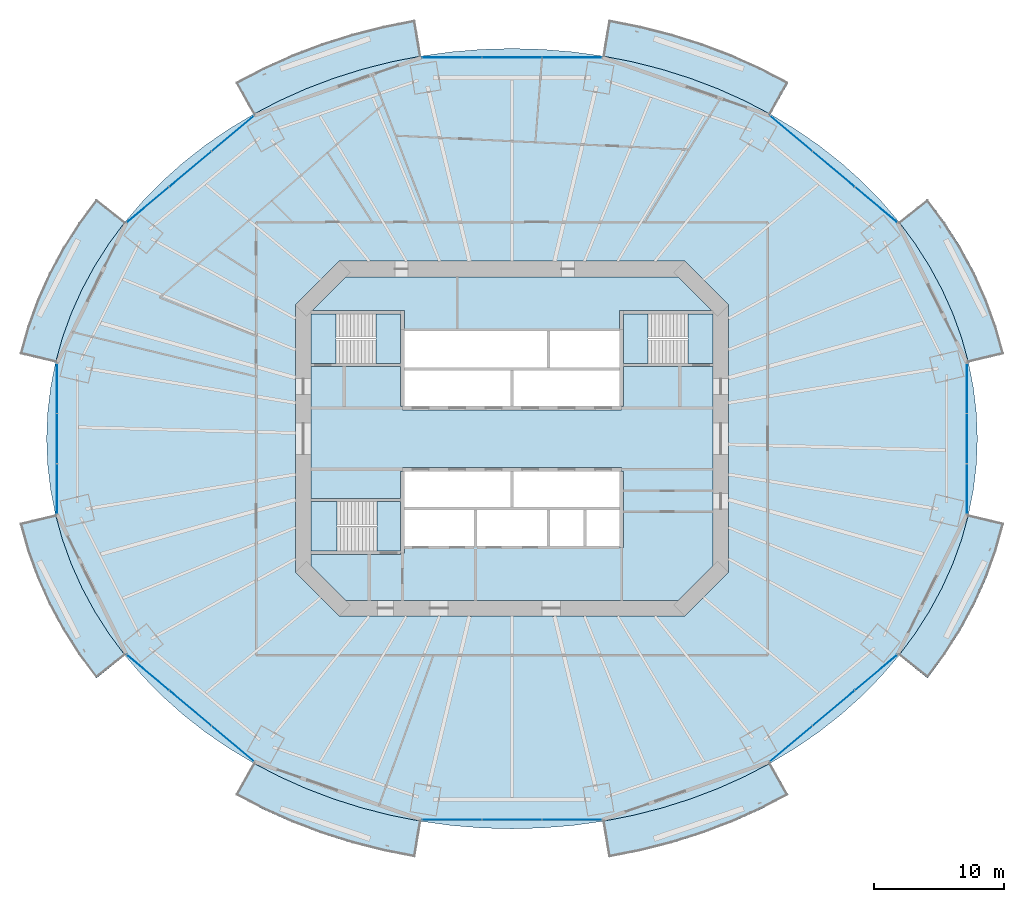
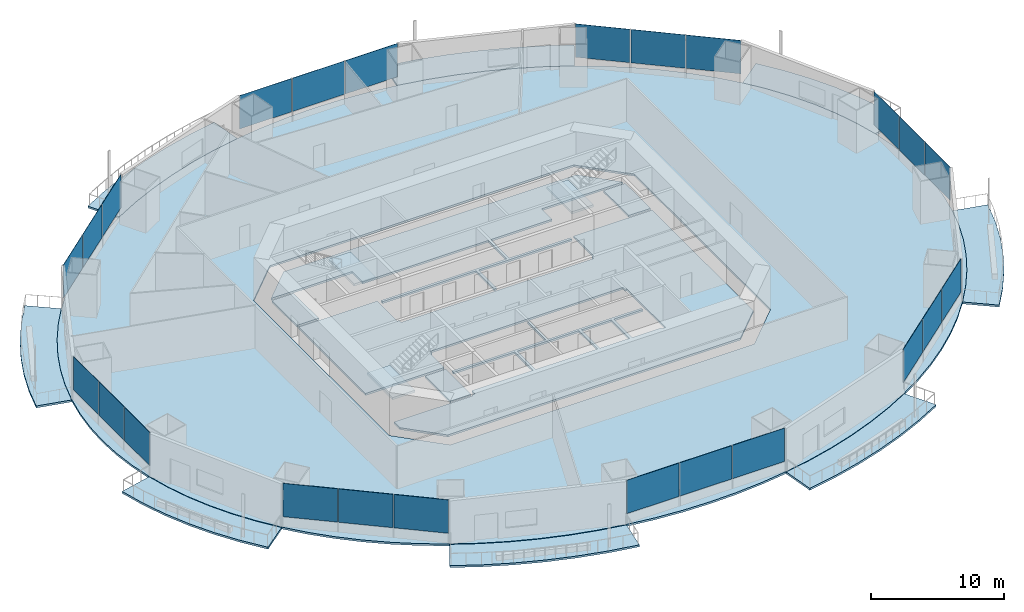
# One storey, part 12 of 22: 24 plates, 17 slabs, 11 elements without a shape of their own.
"""IFC4 building model written with IfcOpenShell, lengths in metres."""

from ifc_helpers import new_model, si_unit, direction, frame, origin, origin_2d, place, context, subcontext, project, spatial, polyline, rectangle, outline, extrude, material, layer, layer_set, type_object, element, aggregate, save


model = new_model("IFC4")

# Units and contexts
model_context = context("Model", 3, precision=1e-05, world=origin(), true_north=direction((0.0, 1.0)))
body_context = subcontext(model_context, "Body", "Model", "MODEL_VIEW")
ifc_project = project(units=[si_unit("LENGTHUNIT", "METRE"), si_unit("AREAUNIT", "SQUARE_METRE"), si_unit("VOLUMEUNIT", "CUBIC_METRE"), si_unit("PLANEANGLEUNIT", "RADIAN"), si_unit("MASSUNIT", "GRAM", prefix="KILO")], contexts=[model_context])

# Site, building, storey
site_placement = place(None, origin())
site = spatial("IfcSite", under=ifc_project, at=site_placement, CompositionType="ELEMENT")
building_placement = place(site_placement, origin())
building = spatial("IfcBuilding", under=site, at=building_placement, Name="Marenthal Gate Tower", CompositionType="ELEMENT")
storey_placement = place(building_placement, frame((0.0, 0.0, 70.35009765625)))
storey = spatial("IfcBuildingStorey", under=building, at=storey_placement, Name="L13", CompositionType="ELEMENT", Elevation=70.35009765625)

# Slabs
ifc_material_1 = material(Name="Concrete 40 MPa", Category="concrete")
ifc_layer_1 = layer(ifc_material_1, 0.179931640625)
ifc_layer_set_1 = layer_set([ifc_layer_1], Name="Balcony deck 180")
slab_type_1 = type_object("IfcSlabType", Name="Balcony deck 180", PredefinedType="USERDEFINED", material=ifc_layer_set_1)
slab_1_placement = place(storey_placement, frame((0.0, 0.0, -0.22021484375)))
element("IfcSlab", 1, at=slab_1_placement, inside=storey, type_object=slab_type_1, Name="Balcony deck L13 bay 1", ObjectType="BALCONY", PredefinedType="USERDEFINED", context=body_context, shape_type="SweptSolid", body=[
    extrude(outline(polyline([(34.987548828125, 5.833984375), (34.45751953125, 7.73974609375), (33.77978515625, 9.6123046875), (32.95751953125, 11.44384765625), (31.994140625, 13.226318359375), (30.893798828125, 14.951904296875), (29.660888671875, 16.61376953125), (31.8505859375, 18.359130859375), (33.19970703125, 16.540283203125), (34.407470703125, 14.64599609375), (35.4677734375, 12.68408203125), (36.375, 10.663330078125), (37.12451171875, 8.59228515625), (37.7119140625, 6.48046875), (34.987548828125, 5.833984375)])), origin(), (0.0, 0.0, 1.0), 0.18017578125),
])
slab_2_placement = place(storey_placement, frame((0.0, 0.0, -0.22021484375)))
element("IfcSlab", 2, at=slab_2_placement, inside=storey, type_object=slab_type_1, Name="Balcony deck L13 bay 3", ObjectType="BALCONY", PredefinedType="USERDEFINED", context=body_context, shape_type="SweptSolid", body=[
    extrude(outline(polyline([(19.81884765625, 24.8642578125), (17.83642578125, 25.897705078125), (15.77783203125, 26.820068359375), (13.651611328125, 27.627685546875), (11.466796875, 28.31689453125), (9.23291015625, 28.885009765625), (6.95947265625, 29.329345703125), (7.419921875, 32.09130859375), (9.846435546875, 31.616943359375), (12.233154296875, 31.010009765625), (14.570068359375, 30.272705078125), (16.847412109375, 29.40771484375), (19.056396484375, 28.41796875), (21.187255859375, 27.30712890625), (19.81884765625, 24.8642578125)])), origin(), (0.0, 0.0, 1.0), 0.18017578125),
])
slab_3_placement = place(storey_placement, frame((0.0, 0.0, -0.22021484375)))
element("IfcSlab", 3, at=slab_3_placement, inside=storey, type_object=slab_type_1, Name="Balcony deck L13 bay 5", ObjectType="BALCONY", PredefinedType="USERDEFINED", context=body_context, shape_type="SweptSolid", body=[
    extrude(outline(polyline([(-6.95947265625, 29.329345703125), (-9.23291015625, 28.885009765625), (-11.466796875, 28.31689453125), (-13.651611328125, 27.627685546875), (-15.77783203125, 26.820068359375), (-17.83642578125, 25.897705078125), (-19.81884765625, 24.8642578125), (-21.187255859375, 27.30712890625), (-19.056396484375, 28.41796875), (-16.847412109375, 29.40771484375), (-14.570068359375, 30.272705078125), (-12.233154296875, 31.010009765625), (-9.846435546875, 31.616943359375), (-7.419921875, 32.09130859375), (-6.95947265625, 29.329345703125)])), origin(), (0.0, 0.0, 1.0), 0.18017578125),
])
slab_4_placement = place(storey_placement, frame((0.0, 0.0, -0.22021484375)))
element("IfcSlab", 4, at=slab_4_placement, inside=storey, type_object=slab_type_1, Name="Balcony deck L13 bay 7", ObjectType="BALCONY", PredefinedType="USERDEFINED", context=body_context, shape_type="SweptSolid", body=[
    extrude(outline(polyline([(-29.660888671875, 16.61376953125), (-30.893798828125, 14.951904296875), (-31.994140625, 13.226318359375), (-32.95751953125, 11.44384765625), (-33.77978515625, 9.6123046875), (-34.45751953125, 7.73974609375), (-34.987548828125, 5.833984375), (-37.7119140625, 6.48046875), (-37.12451171875, 8.59228515625), (-36.375, 10.663330078125), (-35.4677734375, 12.68408203125), (-34.407470703125, 14.64599609375), (-33.19970703125, 16.540283203125), (-31.8505859375, 18.359130859375), (-29.660888671875, 16.61376953125)])), origin(), (0.0, 0.0, 1.0), 0.18017578125),
])
slab_5_placement = place(storey_placement, frame((0.0, 0.0, -0.22021484375)))
element("IfcSlab", 5, at=slab_5_placement, inside=storey, type_object=slab_type_1, Name="Balcony deck L13 bay 9", ObjectType="BALCONY", PredefinedType="USERDEFINED", context=body_context, shape_type="SweptSolid", body=[
    extrude(outline(polyline([(-34.987548828125, -5.833984375), (-34.45751953125, -7.73974609375), (-33.77978515625, -9.6123046875), (-32.95751953125, -11.44384765625), (-31.994140625, -13.226318359375), (-30.893798828125, -14.951904296875), (-29.660888671875, -16.61376953125), (-31.8505859375, -18.359130859375), (-33.19970703125, -16.540283203125), (-34.407470703125, -14.64599609375), (-35.4677734375, -12.68408203125), (-36.375, -10.663330078125), (-37.12451171875, -8.59228515625), (-37.7119140625, -6.48046875), (-34.987548828125, -5.833984375)])), origin(), (0.0, 0.0, 1.0), 0.18017578125),
])
slab_6_placement = place(storey_placement, frame((0.0, 0.0, -0.22021484375)))
element("IfcSlab", 6, at=slab_6_placement, inside=storey, type_object=slab_type_1, Name="Balcony deck L13 bay 11", ObjectType="BALCONY", PredefinedType="USERDEFINED", context=body_context, shape_type="SweptSolid", body=[
    extrude(outline(polyline([(-19.81884765625, -24.8642578125), (-17.83642578125, -25.897705078125), (-15.77783203125, -26.820068359375), (-13.651611328125, -27.627685546875), (-11.466796875, -28.31689453125), (-9.23291015625, -28.885009765625), (-6.95947265625, -29.329345703125), (-7.419921875, -32.09130859375), (-9.846435546875, -31.616943359375), (-12.233154296875, -31.010009765625), (-14.570068359375, -30.272705078125), (-16.847412109375, -29.40771484375), (-19.056396484375, -28.41796875), (-21.187255859375, -27.30712890625), (-19.81884765625, -24.8642578125)])), origin(), (0.0, 0.0, 1.0), 0.18017578125),
])
slab_7_placement = place(storey_placement, frame((0.0, 0.0, -0.22021484375)))
element("IfcSlab", 7, at=slab_7_placement, inside=storey, type_object=slab_type_1, Name="Balcony deck L13 bay 13", ObjectType="BALCONY", PredefinedType="USERDEFINED", context=body_context, shape_type="SweptSolid", body=[
    extrude(outline(polyline([(6.95947265625, -29.329345703125), (9.23291015625, -28.885009765625), (11.466796875, -28.31689453125), (13.651611328125, -27.627685546875), (15.77783203125, -26.820068359375), (17.83642578125, -25.897705078125), (19.81884765625, -24.8642578125), (21.187255859375, -27.30712890625), (19.056396484375, -28.41796875), (16.847412109375, -29.40771484375), (14.570068359375, -30.272705078125), (12.233154296875, -31.010009765625), (9.846435546875, -31.616943359375), (7.419921875, -32.09130859375), (6.95947265625, -29.329345703125)])), origin(), (0.0, 0.0, 1.0), 0.18017578125),
])
slab_8_placement = place(storey_placement, frame((0.0, 0.0, -0.22021484375)))
element("IfcSlab", 8, at=slab_8_placement, inside=storey, type_object=slab_type_1, Name="Balcony deck L13 bay 15", ObjectType="BALCONY", PredefinedType="USERDEFINED", context=body_context, shape_type="SweptSolid", body=[
    extrude(outline(polyline([(29.660888671875, -16.61376953125), (30.893798828125, -14.951904296875), (31.994140625, -13.226318359375), (32.95751953125, -11.44384765625), (33.77978515625, -9.6123046875), (34.45751953125, -7.73974609375), (34.987548828125, -5.833984375), (37.7119140625, -6.48046875), (37.12451171875, -8.59228515625), (36.375, -10.663330078125), (35.4677734375, -12.68408203125), (34.407470703125, -14.64599609375), (33.19970703125, -16.540283203125), (31.8505859375, -18.359130859375), (29.660888671875, -16.61376953125)])), origin(), (0.0, 0.0, 1.0), 0.18017578125),
])
ifc_material_2 = material(Name="Concrete 50 MPa", Category="concrete")
ifc_layer_2 = layer(ifc_material_2, 0.179931640625)
ifc_layer_set_2 = layer_set([ifc_layer_2], Name="Core floor slab 180")
slab_type_2 = type_object("IfcSlabType", Name="Core floor slab 180", PredefinedType="FLOOR", material=ifc_layer_set_2)
slab_9_placement = place(storey_placement, frame((0.0, 0.0, -0.18017578125)))
element("IfcSlab", 9, at=slab_9_placement, inside=storey, type_object=slab_type_2, Name="Core floor L13", PredefinedType="FLOOR", context=body_context, shape_type="SweptSolid", body=[
    extrude(outline(polyline([(15.39990234375, -9.75146484375), (12.75146484375, -12.39990234375), (-12.75146484375, -12.39990234375), (-15.39990234375, -9.75146484375), (-15.39990234375, -8.875), (-8.550048828125, -8.875), (-8.550048828125, -8.75), (-8.25, -8.75), (-8.25, -8.239990234375), (-5.60009765625, -8.239990234375), (-2.909912109375, -8.239990234375), (-2.909912109375, -5.4599609375), (-5.60009765625, -5.4599609375), (-8.25, -5.4599609375), (-8.25, -5.239990234375), (-5.60009765625, -5.239990234375), (-2.800048828125, -5.239990234375), (-0.110107421875, -5.239990234375), (-0.110107421875, -2.5), (0.110107421875, -2.5), (0.110107421875, -5.239990234375), (2.800048828125, -5.239990234375), (5.60009765625, -5.239990234375), (8.25, -5.239990234375), (8.25, -5.4599609375), (5.7099609375, -5.4599609375), (5.7099609375, -8.239990234375), (8.25, -8.239990234375), (8.25, -8.35009765625), (8.550048828125, -8.35009765625), (8.550048828125, -2.5), (8.39990234375, -2.5), (8.39990234375, -2.199951171875), (-8.39990234375, -2.199951171875), (-8.39990234375, -2.5), (-8.550048828125, -2.5), (-8.550048828125, -4.574951171875), (-15.39990234375, -4.574951171875), (-15.39990234375, 5.52490234375), (-8.550048828125, 5.52490234375), (-8.550048828125, 2.5), (-8.39990234375, 2.5), (-8.39990234375, 2.199951171875), (8.39990234375, 2.199951171875), (8.39990234375, 2.5), (8.550048828125, 2.5), (8.550048828125, 5.52490234375), (15.39990234375, 5.52490234375), (15.39990234375, -9.75146484375)]), holes=[polyline([(2.68994140625, -5.4599609375), (0.0, -5.4599609375), (-2.68994140625, -5.4599609375), (-2.68994140625, -8.239990234375), (0.0, -8.239990234375), (2.68994140625, -8.239990234375), (2.68994140625, -5.4599609375)]), polyline([(5.489990234375, -5.4599609375), (2.909912109375, -5.4599609375), (2.909912109375, -8.239990234375), (5.489990234375, -8.239990234375), (5.489990234375, -5.4599609375)])]), origin(), (0.0, 0.0, 1.0), 0.18017578125),
])
slab_10_placement = place(storey_placement, frame((0.0, 0.0, -0.18017578125)))
element("IfcSlab", 10, at=slab_10_placement, inside=storey, type_object=slab_type_2, Name="Core floor L13", PredefinedType="FLOOR", context=body_context, shape_type="SweptSolid", body=[
    extrude(outline(polyline([(15.39990234375, 5.77490234375), (13.5, 5.77490234375), (13.5, 9.574951171875), (15.39990234375, 9.574951171875), (15.39990234375, 5.77490234375)])), origin(), (0.0, 0.0, 1.0), 0.18017578125),
])
slab_11_placement = place(storey_placement, frame((0.0, 0.0, -0.18017578125)))
element("IfcSlab", 11, at=slab_11_placement, inside=storey, type_object=slab_type_2, Name="Core floor L13", PredefinedType="FLOOR", context=body_context, shape_type="SweptSolid", body=[
    extrude(outline(polyline([(12.75146484375, 12.39990234375), (15.326416015625, 9.824951171875), (8.550048828125, 9.824951171875), (8.25, 9.824951171875), (8.25, 8.35009765625), (8.25, 8.239990234375), (5.60009765625, 8.239990234375), (2.909912109375, 8.239990234375), (2.909912109375, 5.4599609375), (5.60009765625, 5.4599609375), (8.25, 5.4599609375), (8.25, 5.239990234375), (5.60009765625, 5.239990234375), (2.800048828125, 5.239990234375), (0.110107421875, 5.239990234375), (0.110107421875, 2.5), (-0.110107421875, 2.5), (-0.110107421875, 5.239990234375), (-2.800048828125, 5.239990234375), (-5.60009765625, 5.239990234375), (-8.25, 5.239990234375), (-8.25, 5.4599609375), (-5.60009765625, 5.4599609375), (-2.800048828125, 5.4599609375), (0.0, 5.4599609375), (2.68994140625, 5.4599609375), (2.68994140625, 8.239990234375), (0.0, 8.239990234375), (-2.800048828125, 8.239990234375), (-5.60009765625, 8.239990234375), (-8.25, 8.239990234375), (-8.25, 8.35009765625), (-8.25, 9.824951171875), (-8.550048828125, 9.824951171875), (-15.326416015625, 9.824951171875), (-12.75146484375, 12.39990234375), (12.75146484375, 12.39990234375)])), origin(), (0.0, 0.0, 1.0), 0.18017578125),
])
slab_12_placement = place(storey_placement, frame((0.0, 0.0, -0.18017578125)))
element("IfcSlab", 12, at=slab_12_placement, inside=storey, type_object=slab_type_2, Name="Core floor L13", PredefinedType="FLOOR", context=body_context, shape_type="SweptSolid", body=[
    extrude(outline(polyline([(-15.39990234375, 9.574951171875), (-13.5, 9.574951171875), (-13.5, 5.77490234375), (-15.39990234375, 5.77490234375), (-15.39990234375, 9.574951171875)])), origin(), (0.0, 0.0, 1.0), 0.18017578125),
])
slab_13_placement = place(storey_placement, frame((0.0, 0.0, -0.18017578125)))
element("IfcSlab", 13, at=slab_13_placement, inside=storey, type_object=slab_type_2, Name="Core floor L13", PredefinedType="FLOOR", context=body_context, shape_type="SweptSolid", body=[
    extrude(outline(polyline([(-8.550048828125, -8.625), (-10.35009765625, -8.625), (-10.35009765625, -4.824951171875), (-8.550048828125, -4.824951171875), (-8.550048828125, -8.625)])), origin(), (0.0, 0.0, 1.0), 0.18017578125),
])
ifc_material_3 = material(Name="Concrete 35 MPa", Category="concrete")
ifc_layer_3 = layer(ifc_material_3, 0.179931640625)
ifc_layer_set_3 = layer_set([ifc_layer_3], Name="Floor slab 180")
slab_type_3 = type_object("IfcSlabType", Name="Floor slab 180", PredefinedType="FLOOR", material=ifc_layer_set_3)
slab_14_placement = place(storey_placement, frame((0.0, 0.0, -0.18017578125)))
element("IfcSlab", 14, at=slab_14_placement, inside=storey, type_object=slab_type_3, Name="SL-L13-01", PredefinedType="FLOOR", context=body_context, shape_type="SweptSolid", body=[
    extrude(outline(polyline([(35.673095703125, 0.0), (35.5966796875, 1.955810546875), (35.367919921875, 3.9033203125), (34.987548828125, 5.833984375), (34.45751953125, 7.73974609375), (33.77978515625, 9.6123046875), (32.95751953125, 11.44384765625), (31.994140625, 13.226318359375), (30.893798828125, 14.951904296875), (29.660888671875, 16.61376953125), (28.30126953125, 18.204345703125), (26.8203125, 19.717041015625), (25.224609375, 21.145263671875), (23.520751953125, 22.48291015625), (21.71630859375, 23.724365234375), (19.81884765625, 24.8642578125), (17.83642578125, 25.897705078125), (15.77783203125, 26.820068359375), (13.651611328125, 27.627685546875), (11.466796875, 28.31689453125), (9.23291015625, 28.885009765625), (6.95947265625, 29.329345703125), (4.65625, 29.648193359375), (2.3330078125, 29.840087890625), (0.0, 29.904052734375), (-2.3330078125, 29.840087890625), (-4.65625, 29.648193359375), (-6.95947265625, 29.329345703125), (-9.23291015625, 28.885009765625), (-11.466796875, 28.31689453125), (-13.651611328125, 27.627685546875), (-15.77783203125, 26.820068359375), (-17.83642578125, 25.897705078125), (-19.81884765625, 24.8642578125), (-21.71630859375, 23.724365234375), (-23.520751953125, 22.48291015625), (-25.224609375, 21.145263671875), (-26.8203125, 19.717041015625), (-28.30126953125, 18.204345703125), (-29.660888671875, 16.61376953125), (-30.893798828125, 14.951904296875), (-31.994140625, 13.226318359375), (-32.95751953125, 11.44384765625), (-33.77978515625, 9.6123046875), (-34.45751953125, 7.73974609375), (-34.987548828125, 5.833984375), (-35.367919921875, 3.9033203125), (-35.5966796875, 1.955810546875), (-35.673095703125, 0.0), (-35.5966796875, -1.955810546875), (-35.367919921875, -3.9033203125), (-34.987548828125, -5.833984375), (-34.45751953125, -7.73974609375), (-33.77978515625, -9.6123046875), (-32.95751953125, -11.44384765625), (-31.994140625, -13.226318359375), (-30.893798828125, -14.951904296875), (-29.660888671875, -16.61376953125), (-28.30126953125, -18.204345703125), (-26.8203125, -19.717041015625), (-25.224609375, -21.145263671875), (-23.520751953125, -22.48291015625), (-21.71630859375, -23.724365234375), (-19.81884765625, -24.8642578125), (-17.83642578125, -25.897705078125), (-15.77783203125, -26.820068359375), (-13.651611328125, -27.627685546875), (-11.466796875, -28.31689453125), (-9.23291015625, -28.885009765625), (-6.95947265625, -29.329345703125), (-4.65625, -29.648193359375), (-2.3330078125, -29.840087890625), (0.0, -29.904052734375), (2.3330078125, -29.840087890625), (4.65625, -29.648193359375), (6.95947265625, -29.329345703125), (9.23291015625, -28.885009765625), (11.466796875, -28.31689453125), (13.651611328125, -27.627685546875), (15.77783203125, -26.820068359375), (17.83642578125, -25.897705078125), (19.81884765625, -24.8642578125), (21.71630859375, -23.724365234375), (23.520751953125, -22.48291015625), (25.224609375, -21.145263671875), (26.8203125, -19.717041015625), (28.30126953125, -18.204345703125), (29.660888671875, -16.61376953125), (30.893798828125, -14.951904296875), (31.994140625, -13.226318359375), (32.95751953125, -11.44384765625), (33.77978515625, -9.6123046875), (34.45751953125, -7.73974609375), (34.987548828125, -5.833984375), (35.367919921875, -3.9033203125), (35.5966796875, -1.955810546875), (35.673095703125, 0.0)]), holes=[polyline([(13.24853515625, -13.60009765625), (16.60009765625, -10.24853515625), (16.60009765625, 10.24853515625), (13.24853515625, 13.60009765625), (-13.24853515625, 13.60009765625), (-16.60009765625, 10.24853515625), (-16.60009765625, -10.24853515625), (-13.24853515625, -13.60009765625), (13.24853515625, -13.60009765625)])]), origin(), (0.0, 0.0, 1.0), 0.18017578125),
])

# Curtain wall, plates
ifc_material_4 = material(Name="Aluminium and glass", Category="aluminium")
curtain_wall_type = type_object("IfcCurtainWallType", Name="Curtain wall typical low", PredefinedType="NOTDEFINED", material=ifc_material_4)
curtain_wall_1_placement = place(storey_placement, origin())
curtain_wall_1 = element("IfcCurtainWall", 15, at=curtain_wall_1_placement, inside=storey, type_object=curtain_wall_type, Name="Curtain wall L13 bay 2", PredefinedType="NOTDEFINED")
ifc_material_5 = material(Name="Glass, laminated insulating unit", Category="glass")
ifc_layer_4 = layer(ifc_material_5, 0.030029296875)
ifc_layer_set_4 = layer_set([ifc_layer_4], Name="Glass panel 30 typical low")
plate_type = type_object("IfcPlateType", Name="Glass panel 30 typical low", PredefinedType="CURTAIN_PANEL", material=ifc_layer_set_4)
plate_1_placement = place(storey_placement, frame((27.9111328125, 17.929443359375, 0.89990234375), z_axis=(0.0, 0.0, 1.0), x_axis=(-0.76655707885, 0.642176178992, 0.0)))
plate_1 = element("IfcPlate", 16, at=plate_1_placement, type_object=plate_type, Name="Glass panel L13 bay 2.1", PredefinedType="CURTAIN_PANEL", context=body_context, shape_type="SweptSolid", body=[
    extrude(rectangle(XDim=4.185302734375, YDim=0.030029296875, at=origin_2d()), origin(), (0.0, 0.0, 1.0), 3.070068359375),
])
plate_2_placement = place(storey_placement, frame((24.65673828125, 20.65576171875, 0.89990234375), z_axis=(0.0, 0.0, 1.0), x_axis=(-0.76655707885, 0.642176178992, 0.0)))
plate_2 = element("IfcPlate", 17, at=plate_2_placement, type_object=plate_type, Name="Glass panel L13 bay 2.2", PredefinedType="CURTAIN_PANEL", context=body_context, shape_type="SweptSolid", body=[
    extrude(rectangle(XDim=4.185302734375, YDim=0.030029296875, at=origin_2d()), origin(), (0.0, 0.0, 1.0), 3.070068359375),
])
plate_3_placement = place(storey_placement, frame((21.40234375, 23.382080078125, 0.89990234375), z_axis=(0.0, 0.0, 1.0), x_axis=(-0.76655707885, 0.642176178992, 0.0)))
plate_3 = element("IfcPlate", 18, at=plate_3_placement, type_object=plate_type, Name="Glass panel L13 bay 2.3", PredefinedType="CURTAIN_PANEL", context=body_context, shape_type="SweptSolid", body=[
    extrude(rectangle(XDim=4.185302734375, YDim=0.030029296875, at=origin_2d()), origin(), (0.0, 0.0, 1.0), 3.070068359375),
])
aggregate(curtain_wall_1, [plate_1, plate_2, plate_3])

curtain_wall_2_placement = place(storey_placement, origin())
curtain_wall_2 = element("IfcCurtainWall", 19, at=curtain_wall_2_placement, inside=storey, type_object=curtain_wall_type, Name="Curtain wall L13 bay 4", PredefinedType="NOTDEFINED")
plate_4_placement = place(storey_placement, frame((4.60400390625, 29.211669921875, 0.89990234375), z_axis=(0.0, 0.0, 1.0), x_axis=(-1.0, 0.0, 0.0)))
plate_4 = element("IfcPlate", 20, at=plate_4_placement, type_object=plate_type, Name="Glass panel L13 bay 4.1", PredefinedType="CURTAIN_PANEL", context=body_context, shape_type="SweptSolid", body=[
    extrude(rectangle(XDim=4.5439453125, YDim=0.030029296875, at=origin_2d()), origin(), (0.0, 0.0, 1.0), 3.070068359375),
])
plate_5_placement = place(storey_placement, frame((0.0, 29.211669921875, 0.89990234375), z_axis=(0.0, 0.0, 1.0), x_axis=(-1.0, 0.0, 0.0)))
plate_5 = element("IfcPlate", 21, at=plate_5_placement, type_object=plate_type, Name="Glass panel L13 bay 4.2", PredefinedType="CURTAIN_PANEL", context=body_context, shape_type="SweptSolid", body=[
    extrude(rectangle(XDim=4.5439453125, YDim=0.030029296875, at=origin_2d()), origin(), (0.0, 0.0, 1.0), 3.070068359375),
])
plate_6_placement = place(storey_placement, frame((-4.60400390625, 29.211669921875, 0.89990234375), z_axis=(0.0, 0.0, 1.0), x_axis=(-1.0, 0.0, 0.0)))
plate_6 = element("IfcPlate", 22, at=plate_6_placement, type_object=plate_type, Name="Glass panel L13 bay 4.3", PredefinedType="CURTAIN_PANEL", context=body_context, shape_type="SweptSolid", body=[
    extrude(rectangle(XDim=4.5439453125, YDim=0.030029296875, at=origin_2d()), origin(), (0.0, 0.0, 1.0), 3.070068359375),
])
aggregate(curtain_wall_2, [plate_4, plate_5, plate_6])

curtain_wall_3_placement = place(storey_placement, origin())
curtain_wall_3 = element("IfcCurtainWall", 23, at=curtain_wall_3_placement, inside=storey, type_object=curtain_wall_type, Name="Curtain wall L13 bay 6", PredefinedType="NOTDEFINED")
plate_7_placement = place(storey_placement, frame((-21.40234375, 23.382080078125, 0.89990234375), z_axis=(0.0, 0.0, 1.0), x_axis=(-0.76655707885, -0.642176178992, 0.0)))
plate_7 = element("IfcPlate", 24, at=plate_7_placement, type_object=plate_type, Name="Glass panel L13 bay 6.1", PredefinedType="CURTAIN_PANEL", context=body_context, shape_type="SweptSolid", body=[
    extrude(rectangle(XDim=4.185302734375, YDim=0.030029296875, at=origin_2d()), origin(), (0.0, 0.0, 1.0), 3.070068359375),
])
plate_8_placement = place(storey_placement, frame((-24.65673828125, 20.65576171875, 0.89990234375), z_axis=(0.0, 0.0, 1.0), x_axis=(-0.76655707885, -0.642176178992, 0.0)))
plate_8 = element("IfcPlate", 25, at=plate_8_placement, type_object=plate_type, Name="Glass panel L13 bay 6.2", PredefinedType="CURTAIN_PANEL", context=body_context, shape_type="SweptSolid", body=[
    extrude(rectangle(XDim=4.185302734375, YDim=0.030029296875, at=origin_2d()), origin(), (0.0, 0.0, 1.0), 3.070068359375),
])
plate_9_placement = place(storey_placement, frame((-27.9111328125, 17.929443359375, 0.89990234375), z_axis=(0.0, 0.0, 1.0), x_axis=(-0.76655707885, -0.642176178992, 0.0)))
plate_9 = element("IfcPlate", 26, at=plate_9_placement, type_object=plate_type, Name="Glass panel L13 bay 6.3", PredefinedType="CURTAIN_PANEL", context=body_context, shape_type="SweptSolid", body=[
    extrude(rectangle(XDim=4.185302734375, YDim=0.030029296875, at=origin_2d()), origin(), (0.0, 0.0, 1.0), 3.070068359375),
])
aggregate(curtain_wall_3, [plate_7, plate_8, plate_9])

curtain_wall_4_placement = place(storey_placement, origin())
curtain_wall_4 = element("IfcCurtainWall", 27, at=curtain_wall_4_placement, inside=storey, type_object=curtain_wall_type, Name="Curtain wall L13 bay 8", PredefinedType="NOTDEFINED")
plate_10_placement = place(storey_placement, frame((-34.869873046875, 3.853759765625, 0.89990234375), z_axis=(0.0, 0.0, 1.0), x_axis=(0.0, -1.0, 0.0)))
plate_10 = element("IfcPlate", 28, at=plate_10_placement, type_object=plate_type, Name="Glass panel L13 bay 8.1", PredefinedType="CURTAIN_PANEL", context=body_context, shape_type="SweptSolid", body=[
    extrude(rectangle(XDim=3.793701171875, YDim=0.030029296875, at=origin_2d()), origin(), (0.0, 0.0, 1.0), 3.070068359375),
])
plate_11_placement = place(storey_placement, frame((-34.869873046875, 0.0, 0.89990234375), z_axis=(0.0, 0.0, 1.0), x_axis=(0.0, -1.0, 0.0)))
plate_11 = element("IfcPlate", 29, at=plate_11_placement, type_object=plate_type, Name="Glass panel L13 bay 8.2", PredefinedType="CURTAIN_PANEL", context=body_context, shape_type="SweptSolid", body=[
    extrude(rectangle(XDim=3.793701171875, YDim=0.030029296875, at=origin_2d()), origin(), (0.0, 0.0, 1.0), 3.070068359375),
])
plate_12_placement = place(storey_placement, frame((-34.869873046875, -3.853759765625, 0.89990234375), z_axis=(0.0, 0.0, 1.0), x_axis=(0.0, -1.0, 0.0)))
plate_12 = element("IfcPlate", 30, at=plate_12_placement, type_object=plate_type, Name="Glass panel L13 bay 8.3", PredefinedType="CURTAIN_PANEL", context=body_context, shape_type="SweptSolid", body=[
    extrude(rectangle(XDim=3.793701171875, YDim=0.030029296875, at=origin_2d()), origin(), (0.0, 0.0, 1.0), 3.070068359375),
])
aggregate(curtain_wall_4, [plate_10, plate_11, plate_12])

curtain_wall_5_placement = place(storey_placement, origin())
curtain_wall_5 = element("IfcCurtainWall", 31, at=curtain_wall_5_placement, inside=storey, type_object=curtain_wall_type, Name="Curtain wall L13 bay 10", PredefinedType="NOTDEFINED")
plate_13_placement = place(storey_placement, frame((-27.9111328125, -17.929443359375, 0.89990234375), z_axis=(0.0, 0.0, 1.0), x_axis=(0.76655707885, -0.642176178992, 0.0)))
plate_13 = element("IfcPlate", 32, at=plate_13_placement, type_object=plate_type, Name="Glass panel L13 bay 10.1", PredefinedType="CURTAIN_PANEL", context=body_context, shape_type="SweptSolid", body=[
    extrude(rectangle(XDim=4.185302734375, YDim=0.030029296875, at=origin_2d()), origin(), (0.0, 0.0, 1.0), 3.070068359375),
])
plate_14_placement = place(storey_placement, frame((-24.65673828125, -20.65576171875, 0.89990234375), z_axis=(0.0, 0.0, 1.0), x_axis=(0.76655707885, -0.642176178992, 0.0)))
plate_14 = element("IfcPlate", 33, at=plate_14_placement, type_object=plate_type, Name="Glass panel L13 bay 10.2", PredefinedType="CURTAIN_PANEL", context=body_context, shape_type="SweptSolid", body=[
    extrude(rectangle(XDim=4.185302734375, YDim=0.030029296875, at=origin_2d()), origin(), (0.0, 0.0, 1.0), 3.070068359375),
])
plate_15_placement = place(storey_placement, frame((-21.40234375, -23.382080078125, 0.89990234375), z_axis=(0.0, 0.0, 1.0), x_axis=(0.76655707885, -0.642176178992, 0.0)))
plate_15 = element("IfcPlate", 34, at=plate_15_placement, type_object=plate_type, Name="Glass panel L13 bay 10.3", PredefinedType="CURTAIN_PANEL", context=body_context, shape_type="SweptSolid", body=[
    extrude(rectangle(XDim=4.185302734375, YDim=0.030029296875, at=origin_2d()), origin(), (0.0, 0.0, 1.0), 3.070068359375),
])
aggregate(curtain_wall_5, [plate_13, plate_14, plate_15])

curtain_wall_6_placement = place(storey_placement, origin())
curtain_wall_6 = element("IfcCurtainWall", 35, at=curtain_wall_6_placement, inside=storey, type_object=curtain_wall_type, Name="Curtain wall L13 bay 12", PredefinedType="NOTDEFINED")
plate_16_placement = place(storey_placement, frame((-4.60400390625, -29.211669921875, 0.89990234375), z_axis=(0.0, 0.0, 1.0), x_axis=(1.0, 0.0, 0.0)))
plate_16 = element("IfcPlate", 36, at=plate_16_placement, type_object=plate_type, Name="Glass panel L13 bay 12.1", PredefinedType="CURTAIN_PANEL", context=body_context, shape_type="SweptSolid", body=[
    extrude(rectangle(XDim=4.5439453125, YDim=0.030029296875, at=origin_2d()), origin(), (0.0, 0.0, 1.0), 3.070068359375),
])
plate_17_placement = place(storey_placement, frame((0.0, -29.211669921875, 0.89990234375), z_axis=(0.0, 0.0, 1.0), x_axis=(1.0, 0.0, 0.0)))
plate_17 = element("IfcPlate", 37, at=plate_17_placement, type_object=plate_type, Name="Glass panel L13 bay 12.2", PredefinedType="CURTAIN_PANEL", context=body_context, shape_type="SweptSolid", body=[
    extrude(rectangle(XDim=4.5439453125, YDim=0.030029296875, at=origin_2d()), origin(), (0.0, 0.0, 1.0), 3.070068359375),
])
plate_18_placement = place(storey_placement, frame((4.60400390625, -29.211669921875, 0.89990234375), z_axis=(0.0, 0.0, 1.0), x_axis=(1.0, 0.0, 0.0)))
plate_18 = element("IfcPlate", 38, at=plate_18_placement, type_object=plate_type, Name="Glass panel L13 bay 12.3", PredefinedType="CURTAIN_PANEL", context=body_context, shape_type="SweptSolid", body=[
    extrude(rectangle(XDim=4.5439453125, YDim=0.030029296875, at=origin_2d()), origin(), (0.0, 0.0, 1.0), 3.070068359375),
])
aggregate(curtain_wall_6, [plate_16, plate_17, plate_18])

curtain_wall_7_placement = place(storey_placement, origin())
curtain_wall_7 = element("IfcCurtainWall", 39, at=curtain_wall_7_placement, inside=storey, type_object=curtain_wall_type, Name="Curtain wall L13 bay 14", PredefinedType="NOTDEFINED")
plate_19_placement = place(storey_placement, frame((21.40234375, -23.382080078125, 0.89990234375), z_axis=(0.0, 0.0, 1.0), x_axis=(0.76655707885, 0.642176178992, 0.0)))
plate_19 = element("IfcPlate", 40, at=plate_19_placement, type_object=plate_type, Name="Glass panel L13 bay 14.1", PredefinedType="CURTAIN_PANEL", context=body_context, shape_type="SweptSolid", body=[
    extrude(rectangle(XDim=4.185302734375, YDim=0.030029296875, at=origin_2d()), origin(), (0.0, 0.0, 1.0), 3.070068359375),
])
plate_20_placement = place(storey_placement, frame((24.65673828125, -20.65576171875, 0.89990234375), z_axis=(0.0, 0.0, 1.0), x_axis=(0.76655707885, 0.642176178992, 0.0)))
plate_20 = element("IfcPlate", 41, at=plate_20_placement, type_object=plate_type, Name="Glass panel L13 bay 14.2", PredefinedType="CURTAIN_PANEL", context=body_context, shape_type="SweptSolid", body=[
    extrude(rectangle(XDim=4.185302734375, YDim=0.030029296875, at=origin_2d()), origin(), (0.0, 0.0, 1.0), 3.070068359375),
])
plate_21_placement = place(storey_placement, frame((27.9111328125, -17.929443359375, 0.89990234375), z_axis=(0.0, 0.0, 1.0), x_axis=(0.76655707885, 0.642176178992, 0.0)))
plate_21 = element("IfcPlate", 42, at=plate_21_placement, type_object=plate_type, Name="Glass panel L13 bay 14.3", PredefinedType="CURTAIN_PANEL", context=body_context, shape_type="SweptSolid", body=[
    extrude(rectangle(XDim=4.185302734375, YDim=0.030029296875, at=origin_2d()), origin(), (0.0, 0.0, 1.0), 3.070068359375),
])
aggregate(curtain_wall_7, [plate_19, plate_20, plate_21])

curtain_wall_8_placement = place(storey_placement, origin())
curtain_wall_8 = element("IfcCurtainWall", 43, at=curtain_wall_8_placement, inside=storey, type_object=curtain_wall_type, Name="Curtain wall L13 bay 16", PredefinedType="NOTDEFINED")
plate_22_placement = place(storey_placement, frame((34.869873046875, -3.853759765625, 0.89990234375), z_axis=(0.0, 0.0, 1.0), x_axis=(0.0, 1.0, 0.0)))
plate_22 = element("IfcPlate", 44, at=plate_22_placement, type_object=plate_type, Name="Glass panel L13 bay 16.1", PredefinedType="CURTAIN_PANEL", context=body_context, shape_type="SweptSolid", body=[
    extrude(rectangle(XDim=3.793701171875, YDim=0.030029296875, at=origin_2d()), origin(), (0.0, 0.0, 1.0), 3.070068359375),
])
plate_23_placement = place(storey_placement, frame((34.869873046875, 0.0, 0.89990234375), z_axis=(0.0, 0.0, 1.0), x_axis=(0.0, 1.0, 0.0)))
plate_23 = element("IfcPlate", 45, at=plate_23_placement, type_object=plate_type, Name="Glass panel L13 bay 16.2", PredefinedType="CURTAIN_PANEL", context=body_context, shape_type="SweptSolid", body=[
    extrude(rectangle(XDim=3.793701171875, YDim=0.030029296875, at=origin_2d()), origin(), (0.0, 0.0, 1.0), 3.070068359375),
])
plate_24_placement = place(storey_placement, frame((34.869873046875, 3.853759765625, 0.89990234375), z_axis=(0.0, 0.0, 1.0), x_axis=(0.0, 1.0, 0.0)))
plate_24 = element("IfcPlate", 46, at=plate_24_placement, type_object=plate_type, Name="Glass panel L13 bay 16.3", PredefinedType="CURTAIN_PANEL", context=body_context, shape_type="SweptSolid", body=[
    extrude(rectangle(XDim=3.793701171875, YDim=0.030029296875, at=origin_2d()), origin(), (0.0, 0.0, 1.0), 3.070068359375),
])
aggregate(curtain_wall_8, [plate_22, plate_23, plate_24])

# Stair, slab
ifc_material_6 = material(Name="Concrete 40 MPa", Category="concrete")
stair_type = type_object("IfcStairType", Name="Exit stair 1800", PredefinedType="HALF_TURN_STAIR", material=ifc_material_6)
stair_1_placement = place(storey_placement, origin())
stair_1 = element("IfcStair", 47, at=stair_1_placement, inside=storey, type_object=stair_type, Name="Stair ST1", PredefinedType="HALF_TURN_STAIR")
ifc_material_7 = material(Name="Concrete 40 MPa", Category="concrete")
ifc_layer_5 = layer(ifc_material_7, 0.199951171875)
ifc_layer_set_5 = layer_set([ifc_layer_5], Name="Stair landing 200")
slab_type_4 = type_object("IfcSlabType", Name="Stair landing 200", PredefinedType="LANDING", material=ifc_layer_set_5)
slab_15_placement = place(storey_placement, frame((0.0, 0.0, 1.875)))
slab_15 = element("IfcSlab", 48, at=slab_15_placement, type_object=slab_type_4, Name="ST1 landing 1", PredefinedType="LANDING", context=body_context, shape_type="SweptSolid", body=[
    extrude(outline(polyline([(-10.419921875, 5.77490234375), (-8.550048828125, 5.77490234375), (-8.550048828125, 9.574951171875), (-10.419921875, 9.574951171875), (-10.419921875, 5.77490234375)])), origin(), (0.0, 0.0, 1.0), 0.199951171875),
])
aggregate(stair_1, [slab_15])

stair_2_placement = place(storey_placement, origin())
stair_2 = element("IfcStair", 49, at=stair_2_placement, inside=storey, type_object=stair_type, Name="Stair ST2", PredefinedType="HALF_TURN_STAIR")
slab_16_placement = place(storey_placement, frame((0.0, 0.0, 1.875)))
slab_16 = element("IfcSlab", 50, at=slab_16_placement, type_object=slab_type_4, Name="ST2 landing 1", PredefinedType="LANDING", context=body_context, shape_type="SweptSolid", body=[
    extrude(outline(polyline([(-15.39990234375, -8.625), (-13.429931640625, -8.625), (-13.429931640625, -4.824951171875), (-15.39990234375, -4.824951171875), (-15.39990234375, -8.625)])), origin(), (0.0, 0.0, 1.0), 0.199951171875),
])
aggregate(stair_2, [slab_16])

stair_3_placement = place(storey_placement, origin())
stair_3 = element("IfcStair", 51, at=stair_3_placement, inside=storey, type_object=stair_type, Name="Stair ST3", PredefinedType="HALF_TURN_STAIR")
slab_17_placement = place(storey_placement, frame((0.0, 0.0, 1.875)))
slab_17 = element("IfcSlab", 52, at=slab_17_placement, type_object=slab_type_4, Name="ST3 landing 1", PredefinedType="LANDING", context=body_context, shape_type="SweptSolid", body=[
    extrude(outline(polyline([(8.550048828125, 5.77490234375), (10.419921875, 5.77490234375), (10.419921875, 9.574951171875), (8.550048828125, 9.574951171875), (8.550048828125, 5.77490234375)])), origin(), (0.0, 0.0, 1.0), 0.199951171875),
])
aggregate(stair_3, [slab_17])

save(model, "model.ifc")
